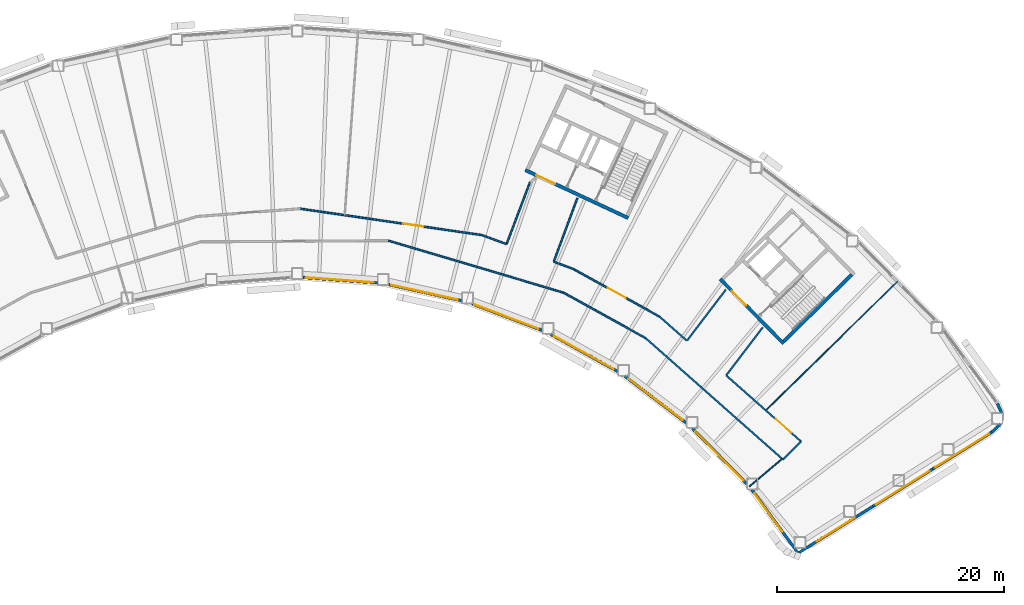
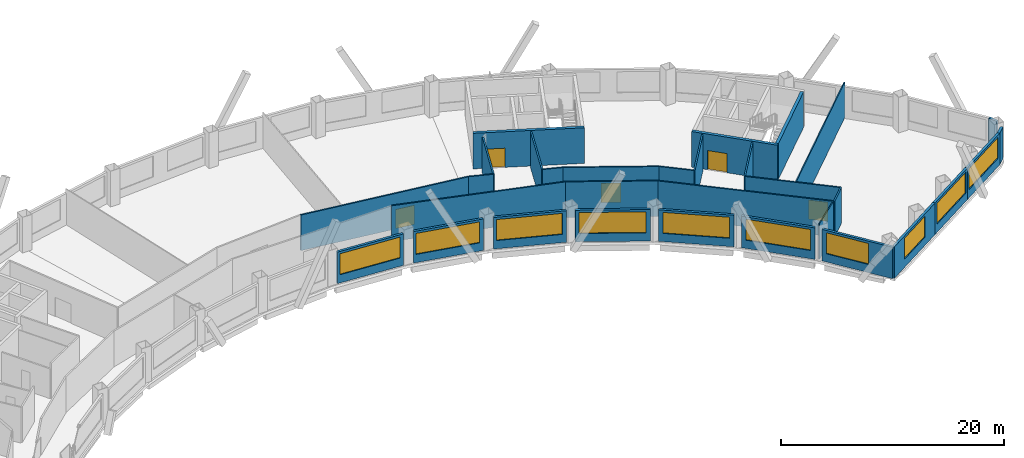
# One storey, part 6 of 11: 31 walls, 10 windows, 5 doors, 15 openings.
"""IFC4 building model written with IfcOpenShell, lengths in metres."""

from ifc_helpers import new_model, si_unit, direction, frame, frame_2d, origin, place, context, subcontext, project, spatial, rectangle, extrude, material, layer, layer_set, type_object, element, fill, save


model = new_model("IFC4")

# Units and contexts
model_context = context("Model", 3, precision=1e-05, world=origin(), true_north=direction((0.0, 1.0)))
body_context = subcontext(model_context, "Body", "Model", "MODEL_VIEW")
ifc_project = project(units=[si_unit("LENGTHUNIT", "METRE"), si_unit("AREAUNIT", "SQUARE_METRE"), si_unit("VOLUMEUNIT", "CUBIC_METRE"), si_unit("PLANEANGLEUNIT", "RADIAN"), si_unit("MASSUNIT", "GRAM", prefix="KILO")], contexts=[model_context])

# Site, building, storey
site_placement = place(None, origin())
site = spatial("IfcSite", under=ifc_project, at=site_placement, CompositionType="ELEMENT")
building_placement = place(site_placement, origin())
building = spatial("IfcBuilding", under=site, at=building_placement, Name="Tuul Gate Civic Tower", CompositionType="ELEMENT")
storey_placement = place(building_placement, frame((0.0, 0.0, 146.60009765625)))
storey = spatial("IfcBuildingStorey", under=building, at=storey_placement, Name="Level 33", CompositionType="ELEMENT", Elevation=146.60009765625)

# Wall, opening, door
ifc_material_1 = material(Name="Concrete C50/60", Category="concrete")
ifc_layer_1 = layer(ifc_material_1, 0.300048828125)
ifc_layer_set_1 = layer_set([ifc_layer_1], Name="Concrete C50/60")
wall_type_1 = type_object("IfcWallType", Name="Core wall C50/60", PredefinedType="SHEAR", material=ifc_layer_set_1)
wall_1_placement = place(storey_placement, frame((48.22509765625, -18.327880859375, 0.0), z_axis=(0.0, 0.0, 1.0), x_axis=(-0.700021979774, 0.714121297703, 0.0)))
wall_1 = element("IfcWall", 1, at=wall_1_placement, inside=storey, type_object=wall_type_1, Name="Core wall", PredefinedType="SHEAR", context=body_context, shape_type="SweptSolid", body=[
    extrude(rectangle(XDim=8.0, YDim=0.300048828125, at=frame_2d((4.0, 0.0))), origin(), (0.0, 0.0, 1.0), 3.89990234375),
])
opening_1_placement = place(wall_1_placement, frame((4.72509765625, 0.0, 0.0)))
opening_1 = element("IfcOpeningElement", 2, at=opening_1_placement, cuts=wall_1, Name="Opening LB-E1-LOBBY-1", PredefinedType="OPENING", context=body_context, shape_type="SweptSolid", body=[
    extrude(rectangle(XDim=1.800048828125, YDim=2.10009765625, at=frame_2d((0.89990234375, 1.050048828125))), frame((0.0, 0.16015625, 0.0), z_axis=(0.0, -1.0, 0.0), x_axis=(1.0, 0.0, 0.0)), (0.0, 0.0, 1.0), 0.320068359375),
])
ifc_material_2 = material(Name="Steel", Category="steel")
door_type_1 = type_object("IfcDoorType", Name="Lobby door", OperationType="DOUBLE_DOOR_SINGLE_SWING", PredefinedType="DOOR", material=ifc_material_2)
door_1_placement = place(opening_1_placement, frame((1.800048828125, 0.0, 0.0), z_axis=(0.0, 0.0, 1.0), x_axis=(-1.0, 0.0, 0.0)))
door_1 = element("IfcDoor", 3, at=door_1_placement, inside=storey, type_object=door_type_1, Name="Lobby door E1-LOBBY", OperationType="DOUBLE_DOOR_SINGLE_SWING", OverallHeight=2.10009765625, OverallWidth=1.800048828125, PredefinedType="DOOR", context=body_context, shape_type="SweptSolid", body=[
    extrude(rectangle(XDim=1.800048828125, YDim=2.10009765625, at=frame_2d((0.900146484375, 1.050048828125))), frame((0.0, 0.02490234375, 0.0), z_axis=(0.0, -1.0, 0.0), x_axis=(1.0, 0.0, 0.0)), (0.0, 0.0, 1.0), 0.050048828125),
])
fill(opening_1, door_1)

# Wall
wall_2_placement = place(storey_placement, frame((48.227294921875, -18.115966796875, 0.0), z_axis=(0.0, 0.0, 1.0), x_axis=(0.714105315431, 0.700038283577, 0.0)))
element("IfcWall", 4, at=wall_2_placement, inside=storey, type_object=wall_type_1, Name="Core wall", PredefinedType="SHEAR", context=body_context, shape_type="SweptSolid", body=[
    extrude(rectangle(XDim=8.400146484375, YDim=0.300048828125, at=frame_2d((4.2001953125, 0.0))), origin(), (0.0, 0.0, 1.0), 3.89990234375),
])

# Wall, opening, door
wall_3_placement = place(storey_placement, frame((34.5283203125, -7.25, 0.0), z_axis=(0.0, 0.0, 1.0), x_axis=(-0.906310338845, 0.422612789327, 0.0)))
wall_3 = element("IfcWall", 5, at=wall_3_placement, inside=storey, type_object=wall_type_1, Name="Core wall", PredefinedType="SHEAR", context=body_context, shape_type="SweptSolid", body=[
    extrude(rectangle(XDim=9.999755859375, YDim=0.300048828125, at=frame_2d((5.0, 0.0))), origin(), (0.0, 0.0, 1.0), 3.89990234375),
])
opening_2_placement = place(wall_3_placement, frame((7.125, 0.0, 0.0)))
opening_2 = element("IfcOpeningElement", 6, at=opening_2_placement, cuts=wall_3, Name="Opening LB-E3-LOBBY-1", PredefinedType="OPENING", context=body_context, shape_type="SweptSolid", body=[
    extrude(rectangle(XDim=1.800048828125, YDim=2.10009765625, at=frame_2d((0.89990234375, 1.050048828125))), frame((0.0, 0.16015625, 0.0), z_axis=(0.0, -1.0, 0.0), x_axis=(1.0, 0.0, 0.0)), (0.0, 0.0, 1.0), 0.320068359375),
])
door_2_placement = place(opening_2_placement, frame((1.800048828125, 0.0, 0.0), z_axis=(0.0, 0.0, 1.0), x_axis=(-1.0, 0.0, 0.0)))
door_2 = element("IfcDoor", 7, at=door_2_placement, inside=storey, type_object=door_type_1, Name="Lobby door E3-LOBBY", OperationType="DOUBLE_DOOR_SINGLE_SWING", OverallHeight=2.10009765625, OverallWidth=1.800048828125, PredefinedType="DOOR", context=body_context, shape_type="SweptSolid", body=[
    extrude(rectangle(XDim=1.800048828125, YDim=2.10009765625, at=frame_2d((0.900146484375, 1.050048828125))), frame((0.0, 0.02490234375, 0.0), z_axis=(0.0, -1.0, 0.0), x_axis=(1.0, 0.0, 0.0)), (0.0, 0.0, 1.0), 0.050048828125),
])
fill(opening_2, door_2)

# Walls
ifc_material_3 = material(Name="Gypsum board partition")
ifc_layer_2 = layer(ifc_material_3, 0.14990234375)
ifc_layer_set_2 = layer_set([ifc_layer_2], Name="Gypsum board partition")
wall_type_2 = type_object("IfcWallType", Name="Corridor wall P150", PredefinedType="PARTITIONING", material=ifc_layer_set_2)
wall_4_placement = place(storey_placement, frame((36.05712890625, -17.82568359375, 0.0), z_axis=(0.0, 0.0, 1.0), x_axis=(0.749274461917, -0.66225960221, 0.0)))
element("IfcWall", 8, at=wall_4_placement, inside=storey, type_object=wall_type_2, Name="p003", PredefinedType="PARTITIONING", context=body_context, shape_type="SweptSolid", body=[
    extrude(rectangle(XDim=16.144287109375, YDim=0.14990234375, at=frame_2d((8.072265625, 0.0))), origin(), (0.0, 0.0, 1.0), 3.89990234375),
])
wall_5_placement = place(storey_placement, frame((48.153564453125, -28.517333984375, 0.0), z_axis=(0.0, 0.0, 1.0), x_axis=(0.711649081693, 0.702535112664, 0.0)))
element("IfcWall", 9, at=wall_5_placement, inside=storey, type_object=wall_type_2, Name="p004", PredefinedType="PARTITIONING", context=body_context, shape_type="SweptSolid", body=[
    extrude(rectangle(XDim=2.250244140625, YDim=0.14990234375, at=frame_2d((1.125, 0.0))), origin(), (0.0, 0.0, 1.0), 3.89990234375),
])
wall_6_placement = place(storey_placement, frame((37.291748046875, -15.93798828125, 0.0), z_axis=(0.0, 0.0, 1.0), x_axis=(0.749786473691, -0.661679865093, 0.0)))
element("IfcWall", 10, at=wall_6_placement, inside=storey, type_object=wall_type_2, Name="p005", PredefinedType="PARTITIONING", context=body_context, shape_type="SweptSolid", body=[
    extrude(rectangle(XDim=3.189453125, YDim=0.14990234375, at=frame_2d((1.5947265625, 0.0))), origin(), (0.0, 0.0, 1.0), 3.89990234375),
])

# Wall, opening, door
wall_7_placement = place(storey_placement, frame((43.172607421875, -21.1279296875, 0.0), z_axis=(0.0, 0.0, 1.0), x_axis=(0.74979808612, -0.661666706167, 0.0)))
wall_7 = element("IfcWall", 11, at=wall_7_placement, inside=storey, type_object=wall_type_2, Name="p006", PredefinedType="PARTITIONING", context=body_context, shape_type="SweptSolid", body=[
    extrude(rectangle(XDim=8.77880859375, YDim=0.14990234375, at=frame_2d((4.389404296875, 0.0))), origin(), (0.0, 0.0, 1.0), 3.89990234375),
])
opening_3_placement = place(wall_7_placement, frame((5.811767578125, 0.0, 0.0)))
opening_3 = element("IfcOpeningElement", 12, at=opening_3_placement, cuts=wall_7, Name="Opening L-D01", PredefinedType="OPENING", context=body_context, shape_type="SweptSolid", body=[
    extrude(rectangle(XDim=1.800048828125, YDim=2.10009765625, at=frame_2d((0.89990234375, 1.050048828125))), frame((0.0, 0.0849609375, 0.0), z_axis=(0.0, -1.0, 0.0), x_axis=(1.0, 0.0, 0.0)), (0.0, 0.0, 1.0), 0.169921875),
])
ifc_material_4 = material(Name="Timber door leaf, double", Category="wood")
door_type_2 = type_object("IfcDoorType", Name="Door D18", OperationType="DOUBLE_DOOR_SINGLE_SWING", PredefinedType="DOOR", material=ifc_material_4)
door_3_placement = place(opening_3_placement, origin())
door_3 = element("IfcDoor", 13, at=door_3_placement, inside=storey, type_object=door_type_2, Name="Door L-D01", OperationType="DOUBLE_DOOR_SINGLE_SWING", OverallHeight=2.10009765625, OverallWidth=1.800048828125, PredefinedType="DOOR", context=body_context, shape_type="SweptSolid", body=[
    extrude(rectangle(XDim=1.800048828125, YDim=2.10009765625, at=frame_2d((0.89990234375, 1.050048828125))), frame((0.0, 0.02490234375, 0.0), z_axis=(0.0, -1.0, 0.0), x_axis=(1.0, 0.0, 0.0)), (0.0, 0.0, 1.0), 0.050048828125),
])
fill(opening_3, door_3)

# Walls
wall_8_placement = place(storey_placement, frame((43.169677734375, -21.099609375, 0.0), z_axis=(0.0, 0.0, 1.0), x_axis=(0.605786662661, 0.795627123307, 0.0)))
element("IfcWall", 14, at=wall_8_placement, inside=storey, type_object=wall_type_2, Name="p008", PredefinedType="PARTITIONING", context=body_context, shape_type="SweptSolid", body=[
    extrude(rectangle(XDim=5.304931640625, YDim=0.14990234375, at=frame_2d((2.65234375, 0.0))), origin(), (0.0, 0.0, 1.0), 3.89990234375),
])
wall_9_placement = place(storey_placement, frame((39.713134765625, -18.04541015625, 0.0), z_axis=(0.0, 0.0, 1.0), x_axis=(0.605803162891, 0.795614559841, 0.0)))
element("IfcWall", 15, at=wall_9_placement, inside=storey, type_object=wall_type_2, Name="p009", PredefinedType="PARTITIONING", context=body_context, shape_type="SweptSolid", body=[
    extrude(rectangle(XDim=5.638916015625, YDim=0.14990234375, at=frame_2d((2.8193359375, 0.0))), origin(), (0.0, 0.0, 1.0), 3.89990234375),
])

# Wall, opening, door
wall_10_placement = place(storey_placement, frame((29.74365234375, -11.760986328125, 0.0), z_axis=(0.0, 0.0, 1.0), x_axis=(0.874963879405, -0.48418819661, 0.0)))
wall_10 = element("IfcWall", 16, at=wall_10_placement, inside=storey, type_object=wall_type_2, Name="p010", PredefinedType="PARTITIONING", context=body_context, shape_type="SweptSolid", body=[
    extrude(rectangle(XDim=8.624755859375, YDim=0.14990234375, at=frame_2d((4.3125, 0.0))), origin(), (0.0, 0.0, 1.0), 3.89990234375),
])
opening_4_placement = place(wall_10_placement, frame((3.412353515625, 0.0, 0.0)))
opening_4 = element("IfcOpeningElement", 17, at=opening_4_placement, cuts=wall_10, Name="Opening L-D02", PredefinedType="OPENING", context=body_context, shape_type="SweptSolid", body=[
    extrude(rectangle(XDim=1.800048828125, YDim=2.10009765625, at=frame_2d((0.89990234375, 1.050048828125))), frame((0.0, 0.0849609375, 0.0), z_axis=(0.0, -1.0, 0.0), x_axis=(1.0, 0.0, 0.0)), (0.0, 0.0, 1.0), 0.169921875),
])
door_4_placement = place(opening_4_placement, origin())
door_4 = element("IfcDoor", 18, at=door_4_placement, inside=storey, type_object=door_type_2, Name="Door L-D02", OperationType="DOUBLE_DOOR_SINGLE_SWING", OverallHeight=2.10009765625, OverallWidth=1.800048828125, PredefinedType="DOOR", context=body_context, shape_type="SweptSolid", body=[
    extrude(rectangle(XDim=1.800048828125, YDim=2.10009765625, at=frame_2d((0.89990234375, 1.050048828125))), frame((0.0, 0.02490234375, 0.0), z_axis=(0.0, -1.0, 0.0), x_axis=(1.0, 0.0, 0.0)), (0.0, 0.0, 1.0), 0.050048828125),
])
fill(opening_4, door_4)

# Walls
wall_11_placement = place(storey_placement, frame((21.662109375, -8.7568359375, 0.0), z_axis=(0.0, 0.0, 1.0), x_axis=(0.937319007973, -0.348472491443, 0.0)))
element("IfcWall", 19, at=wall_11_placement, inside=storey, type_object=wall_type_2, Name="p011", PredefinedType="PARTITIONING", context=body_context, shape_type="SweptSolid", body=[
    extrude(rectangle(XDim=2.27197265625, YDim=0.14990234375, at=frame_2d((1.135986328125, 0.0))), origin(), (0.0, 0.0, 1.0), 3.89990234375),
])
wall_12_placement = place(storey_placement, frame((27.987548828125, -11.108154296875, 0.0), z_axis=(0.0, 0.0, 1.0), x_axis=(0.937359575366, -0.348363354084, 0.0)))
element("IfcWall", 20, at=wall_12_placement, inside=storey, type_object=wall_type_2, Name="p012", PredefinedType="PARTITIONING", context=body_context, shape_type="SweptSolid", body=[
    extrude(rectangle(XDim=1.871826171875, YDim=0.14990234375, at=frame_2d((0.93603515625, 0.0))), origin(), (0.0, 0.0, 1.0), 3.89990234375),
])
wall_13_placement = place(storey_placement, frame((27.975341796875, -11.081298828125, 0.0), z_axis=(0.0, 0.0, 1.0), x_axis=(0.348388102899, 0.937350377265, 0.0)))
element("IfcWall", 21, at=wall_13_placement, inside=storey, type_object=wall_type_2, Name="p013", PredefinedType="PARTITIONING", context=body_context, shape_type="SweptSolid", body=[
    extrude(rectangle(XDim=5.9599609375, YDim=0.14990234375, at=frame_2d((2.97998046875, 0.0))), origin(), (0.0, 0.0, 1.0), 3.89990234375),
])
wall_14_placement = place(storey_placement, frame((23.818603515625, -9.53662109375, 0.0), z_axis=(0.0, 0.0, 1.0), x_axis=(0.354086128069, 0.935212817443, 0.0)))
element("IfcWall", 22, at=wall_14_placement, inside=storey, type_object=wall_type_2, Name="p016", PredefinedType="PARTITIONING", context=body_context, shape_type="SweptSolid", body=[
    extrude(rectangle(XDim=5.830322265625, YDim=0.14990234375, at=frame_2d((2.9150390625, 0.0))), origin(), (0.0, 0.0, 1.0), 3.89990234375),
])

# Wall, opening, door
wall_15_placement = place(storey_placement, frame((5.622314453125, -6.427490234375, 0.0), z_axis=(0.0, 0.0, 1.0), x_axis=(0.989620550356, -0.1437051367, 0.0)))
wall_15 = element("IfcWall", 23, at=wall_15_placement, inside=storey, type_object=wall_type_2, Name="p017", PredefinedType="PARTITIONING", context=body_context, shape_type="SweptSolid", body=[
    extrude(rectangle(XDim=16.205810546875, YDim=0.14990234375, at=frame_2d((8.10302734375, 0.0))), origin(), (0.0, 0.0, 1.0), 3.89990234375),
])
opening_5_placement = place(wall_15_placement, frame((9.18798828125, 0.0, 0.0)))
opening_5 = element("IfcOpeningElement", 24, at=opening_5_placement, cuts=wall_15, Name="Opening L-D03", PredefinedType="OPENING", context=body_context, shape_type="SweptSolid", body=[
    extrude(rectangle(XDim=1.800048828125, YDim=2.10009765625, at=frame_2d((0.89990234375, 1.050048828125))), frame((0.0, 0.0849609375, 0.0), z_axis=(0.0, -1.0, 0.0), x_axis=(1.0, 0.0, 0.0)), (0.0, 0.0, 1.0), 0.169921875),
])
door_5_placement = place(opening_5_placement, origin())
door_5 = element("IfcDoor", 25, at=door_5_placement, inside=storey, type_object=door_type_2, Name="Door L-D03", OperationType="DOUBLE_DOOR_SINGLE_SWING", OverallHeight=2.10009765625, OverallWidth=1.800048828125, PredefinedType="DOOR", context=body_context, shape_type="SweptSolid", body=[
    extrude(rectangle(XDim=1.800048828125, YDim=2.10009765625, at=frame_2d((0.89990234375, 1.050048828125))), frame((0.0, 0.02490234375, 0.0), z_axis=(0.0, -1.0, 0.0), x_axis=(1.0, 0.0, 0.0)), (0.0, 0.0, 1.0), 0.050048828125),
])
fill(opening_5, door_5)

# Walls
wall_16_placement = place(storey_placement, frame((13.4052734375, -9.24755859375, 0.0), z_axis=(0.0, 0.0, 1.0), x_axis=(0.958768044807, -0.284189789149, 0.0)))
element("IfcWall", 26, at=wall_16_placement, inside=storey, type_object=wall_type_2, Name="p039", PredefinedType="PARTITIONING", context=body_context, shape_type="SweptSolid", body=[
    extrude(rectangle(XDim=16.057861328125, YDim=0.14990234375, at=frame_2d((8.02880859375, 0.0))), origin(), (0.0, 0.0, 1.0), 3.89990234375),
])
wall_17_placement = place(storey_placement, frame((28.801025390625, -13.81103515625, 0.0), z_axis=(0.0, 0.0, 1.0), x_axis=(0.874969827012, -0.484177448689, 0.0)))
element("IfcWall", 27, at=wall_17_placement, inside=storey, type_object=wall_type_2, Name="p040", PredefinedType="PARTITIONING", context=body_context, shape_type="SweptSolid", body=[
    extrude(rectangle(XDim=8.292724609375, YDim=0.14990234375, at=frame_2d((4.146484375, 0.0))), origin(), (0.0, 0.0, 1.0), 3.89990234375),
])
ifc_material_5 = material(Name="Precast concrete C40/50", Category="concrete")
ifc_layer_3 = layer(ifc_material_5, 0.25)
ifc_layer_set_3 = layer_set([ifc_layer_3], Name="Precast concrete C40/50")
wall_type_3 = type_object("IfcWallType", Name="External wall", PredefinedType="STANDARD", material=ifc_layer_set_3)
wall_18_placement = place(storey_placement, frame((66.564453125, -26.109619140625, 0.0), z_axis=(0.0, 0.0, 1.0), x_axis=(0.722224898846, 0.691658293875, 0.0)))
element("IfcWall", 28, at=wall_18_placement, inside=storey, type_object=wall_type_3, Name="External wall", PredefinedType="STANDARD", context=body_context, shape_type="SweptSolid", body=[
    extrude(rectangle(XDim=1.0302734375, YDim=0.25, at=frame_2d((0.51513671875, 0.0))), origin(), (0.0, 0.0, 1.0), 3.449951171875),
])
wall_19_placement = place(storey_placement, frame((67.416015625, -24.39697265625, 0.0), z_axis=(0.0, 0.0, 1.0), x_axis=(-0.41355333093, 0.9104798968, 0.0)))
element("IfcWall", 29, at=wall_19_placement, inside=storey, type_object=wall_type_3, Name="External wall", PredefinedType="STANDARD", context=body_context, shape_type="SweptSolid", body=[
    extrude(rectangle(XDim=0.88427734375, YDim=0.25, at=frame_2d((0.442138671875, 0.0))), origin(), (0.0, 0.0, 1.0), 3.449951171875),
])

# Wall, opening, window
wall_20_placement = place(storey_placement, frame((5.8740234375, -12.48583984375, 0.0), z_axis=(0.0, 0.0, 1.0), x_axis=(0.997383866909, -0.072287080662, 0.0)))
wall_20 = element("IfcWall", 30, at=wall_20_placement, inside=storey, type_object=wall_type_3, Name="External wall", PredefinedType="STANDARD", context=body_context, shape_type="SweptSolid", body=[
    extrude(rectangle(XDim=6.58935546875, YDim=0.25, at=frame_2d((3.294677734375, 0.0))), origin(), (0.0, 0.0, 1.0), 3.449951171875),
])
opening_6_placement = place(wall_20_placement, frame((0.27099609375, 0.0, 0.89990234375)))
opening_6 = element("IfcOpeningElement", 31, at=opening_6_placement, cuts=wall_20, Name="Opening W26", PredefinedType="OPENING", context=body_context, shape_type="SweptSolid", body=[
    extrude(rectangle(XDim=6.0, YDim=2.300048828125, at=frame_2d((3.0, 1.14990234375))), frame((0.0, 0.135009765625, 0.0), z_axis=(0.0, -1.0, 0.0), x_axis=(1.0, 0.0, 0.0)), (0.0, 0.0, 1.0), 0.27001953125),
])
ifc_material_6 = material(Name="Glass", Category="glass")
window_type_1 = type_object("IfcWindowType", Name="Window W26 6000 x 2300", PartitioningType="SINGLE_PANEL", PredefinedType="WINDOW", material=ifc_material_6)
window_1_placement = place(opening_6_placement, origin())
window_1 = element("IfcWindow", 32, at=window_1_placement, inside=storey, type_object=window_type_1, Name="Window", OverallHeight=2.300048828125, OverallWidth=6.0, PartitioningType="SINGLE_PANEL", PredefinedType="WINDOW", context=body_context, shape_type="SweptSolid", body=[
    extrude(rectangle(XDim=6.0, YDim=2.300048828125, at=frame_2d((3.0, 1.14990234375))), frame((0.0, 0.030029296875, 0.0), z_axis=(0.0, -1.0, 0.0), x_axis=(1.0, 0.0, 0.0)), (0.0, 0.0, 1.0), 0.06005859375),
])
fill(opening_6, window_1)

wall_21_placement = place(storey_placement, frame((13.446044921875, -13.115478515625, 0.0), z_axis=(0.0, 0.0, 1.0), x_axis=(0.976557337415, -0.215257442942, 0.0)))
wall_21 = element("IfcWall", 33, at=wall_21_placement, inside=storey, type_object=wall_type_3, Name="External wall", PredefinedType="STANDARD", context=body_context, shape_type="SweptSolid", body=[
    extrude(rectangle(XDim=6.568115234375, YDim=0.25, at=frame_2d((3.2841796875, 0.0))), origin(), (0.0, 0.0, 1.0), 3.449951171875),
])
opening_7_placement = place(wall_21_placement, frame((0.212158203125, 0.0, 0.89990234375)))
opening_7 = element("IfcOpeningElement", 34, at=opening_7_placement, cuts=wall_21, Name="Opening W26", PredefinedType="OPENING", context=body_context, shape_type="SweptSolid", body=[
    extrude(rectangle(XDim=6.0, YDim=2.300048828125, at=frame_2d((3.0, 1.14990234375))), frame((0.0, 0.135009765625, 0.0), z_axis=(0.0, -1.0, 0.0), x_axis=(1.0, 0.0, 0.0)), (0.0, 0.0, 1.0), 0.27001953125),
])
window_2_placement = place(opening_7_placement, origin())
window_2 = element("IfcWindow", 35, at=window_2_placement, inside=storey, type_object=window_type_1, Name="Window", OverallHeight=2.300048828125, OverallWidth=6.0, PartitioningType="SINGLE_PANEL", PredefinedType="WINDOW", context=body_context, shape_type="SweptSolid", body=[
    extrude(rectangle(XDim=6.0, YDim=2.300048828125, at=frame_2d((3.0, 1.14990234375))), frame((0.0, 0.030029296875, 0.0), z_axis=(0.0, -1.0, 0.0), x_axis=(1.0, 0.0, 0.0)), (0.0, 0.0, 1.0), 0.06005859375),
])
fill(opening_7, window_2)

wall_22_placement = place(storey_placement, frame((20.76416015625, -14.806884765625, 0.0), z_axis=(0.0, 0.0, 1.0), x_axis=(0.935359421998, -0.353698673562, 0.0)))
wall_22 = element("IfcWall", 36, at=wall_22_placement, inside=storey, type_object=wall_type_3, Name="External wall", PredefinedType="STANDARD", context=body_context, shape_type="SweptSolid", body=[
    extrude(rectangle(XDim=6.625, YDim=0.25, at=frame_2d((3.3125, 0.0))), origin(), (0.0, 0.0, 1.0), 3.449951171875),
])
opening_8_placement = place(wall_22_placement, frame((0.240478515625, 0.0, 0.89990234375)))
opening_8 = element("IfcOpeningElement", 37, at=opening_8_placement, cuts=wall_22, Name="Opening W26", PredefinedType="OPENING", context=body_context, shape_type="SweptSolid", body=[
    extrude(rectangle(XDim=6.0, YDim=2.300048828125, at=frame_2d((3.0, 1.14990234375))), frame((0.0, 0.135009765625, 0.0), z_axis=(0.0, -1.0, 0.0), x_axis=(1.0, 0.0, 0.0)), (0.0, 0.0, 1.0), 0.27001953125),
])
window_3_placement = place(opening_8_placement, origin())
window_3 = element("IfcWindow", 38, at=window_3_placement, inside=storey, type_object=window_type_1, Name="Window", OverallHeight=2.300048828125, OverallWidth=6.0, PartitioningType="SINGLE_PANEL", PredefinedType="WINDOW", context=body_context, shape_type="SweptSolid", body=[
    extrude(rectangle(XDim=6.0, YDim=2.300048828125, at=frame_2d((3.0, 1.14990234375))), frame((0.0, 0.030029296875, 0.0), z_axis=(0.0, -1.0, 0.0), x_axis=(1.0, 0.0, 0.0)), (0.0, 0.0, 1.0), 0.06005859375),
])
fill(opening_8, window_3)

wall_23_placement = place(storey_placement, frame((27.693115234375, -17.491943359375, 0.0), z_axis=(0.0, 0.0, 1.0), x_axis=(0.874615488592, -0.484817230628, 0.0)))
wall_23 = element("IfcWall", 39, at=wall_23_placement, inside=storey, type_object=wall_type_3, Name="External wall", PredefinedType="STANDARD", context=body_context, shape_type="SweptSolid", body=[
    extrude(rectangle(XDim=6.7548828125, YDim=0.25, at=frame_2d((3.37744140625, 0.0))), origin(), (0.0, 0.0, 1.0), 3.449951171875),
])
opening_9_placement = place(wall_23_placement, frame((0.35009765625, 0.0, 0.89990234375)))
opening_9 = element("IfcOpeningElement", 40, at=opening_9_placement, cuts=wall_23, Name="Opening W26", PredefinedType="OPENING", context=body_context, shape_type="SweptSolid", body=[
    extrude(rectangle(XDim=6.0, YDim=2.300048828125, at=frame_2d((3.0, 1.14990234375))), frame((0.0, 0.135009765625, 0.0), z_axis=(0.0, -1.0, 0.0), x_axis=(1.0, 0.0, 0.0)), (0.0, 0.0, 1.0), 0.27001953125),
])
window_4_placement = place(opening_9_placement, origin())
window_4 = element("IfcWindow", 41, at=window_4_placement, inside=storey, type_object=window_type_1, Name="Window", OverallHeight=2.300048828125, OverallWidth=6.0, PartitioningType="SINGLE_PANEL", PredefinedType="WINDOW", context=body_context, shape_type="SweptSolid", body=[
    extrude(rectangle(XDim=6.0, YDim=2.300048828125, at=frame_2d((3.0, 1.14990234375))), frame((0.0, 0.030029296875, 0.0), z_axis=(0.0, -1.0, 0.0), x_axis=(1.0, 0.0, 0.0)), (0.0, 0.0, 1.0), 0.06005859375),
])
fill(opening_9, window_4)

wall_24_placement = place(storey_placement, frame((34.220458984375, -21.172119140625, 0.0), z_axis=(0.0, 0.0, 1.0), x_axis=(0.795597025415, -0.605826190546, 0.0)))
wall_24 = element("IfcWall", 42, at=wall_24_placement, inside=storey, type_object=wall_type_3, Name="External wall", PredefinedType="STANDARD", context=body_context, shape_type="SweptSolid", body=[
    extrude(rectangle(XDim=6.813232421875, YDim=0.25, at=frame_2d((3.40673828125, 0.0))), origin(), (0.0, 0.0, 1.0), 3.449951171875),
])
opening_10_placement = place(wall_24_placement, frame((0.397705078125, 0.0, 0.89990234375)))
opening_10 = element("IfcOpeningElement", 43, at=opening_10_placement, cuts=wall_24, Name="Opening W26", PredefinedType="OPENING", context=body_context, shape_type="SweptSolid", body=[
    extrude(rectangle(XDim=6.0, YDim=2.300048828125, at=frame_2d((3.0, 1.14990234375))), frame((0.0, 0.135009765625, 0.0), z_axis=(0.0, -1.0, 0.0), x_axis=(1.0, 0.0, 0.0)), (0.0, 0.0, 1.0), 0.27001953125),
])
window_5_placement = place(opening_10_placement, origin())
window_5 = element("IfcWindow", 44, at=window_5_placement, inside=storey, type_object=window_type_1, Name="Window", OverallHeight=2.300048828125, OverallWidth=6.0, PartitioningType="SINGLE_PANEL", PredefinedType="WINDOW", context=body_context, shape_type="SweptSolid", body=[
    extrude(rectangle(XDim=6.0, YDim=2.300048828125, at=frame_2d((3.0, 1.14990234375))), frame((0.0, 0.030029296875, 0.0), z_axis=(0.0, -1.0, 0.0), x_axis=(1.0, 0.0, 0.0)), (0.0, 0.0, 1.0), 0.06005859375),
])
fill(opening_10, window_5)

wall_25_placement = place(storey_placement, frame((40.1748046875, -25.77099609375, 0.0), z_axis=(0.0, 0.0, 1.0), x_axis=(0.700046388208, -0.714097370361, 0.0)))
wall_25 = element("IfcWall", 45, at=wall_25_placement, inside=storey, type_object=wall_type_3, Name="External wall", PredefinedType="STANDARD", context=body_context, shape_type="SweptSolid", body=[
    extrude(rectangle(XDim=6.82861328125, YDim=0.25, at=frame_2d((3.414306640625, 0.0))), origin(), (0.0, 0.0, 1.0), 3.449951171875),
])
opening_11_placement = place(wall_25_placement, frame((0.41552734375, 0.0, 0.89990234375)))
opening_11 = element("IfcOpeningElement", 46, at=opening_11_placement, cuts=wall_25, Name="Opening W26", PredefinedType="OPENING", context=body_context, shape_type="SweptSolid", body=[
    extrude(rectangle(XDim=6.0, YDim=2.300048828125, at=frame_2d((3.0, 1.14990234375))), frame((0.0, 0.135009765625, 0.0), z_axis=(0.0, -1.0, 0.0), x_axis=(1.0, 0.0, 0.0)), (0.0, 0.0, 1.0), 0.27001953125),
])
window_6_placement = place(opening_11_placement, origin())
window_6 = element("IfcWindow", 47, at=window_6_placement, inside=storey, type_object=window_type_1, Name="Window", OverallHeight=2.300048828125, OverallWidth=6.0, PartitioningType="SINGLE_PANEL", PredefinedType="WINDOW", context=body_context, shape_type="SweptSolid", body=[
    extrude(rectangle(XDim=6.0, YDim=2.300048828125, at=frame_2d((3.0, 1.14990234375))), frame((0.0, 0.030029296875, 0.0), z_axis=(0.0, -1.0, 0.0), x_axis=(1.0, 0.0, 0.0)), (0.0, 0.0, 1.0), 0.06005859375),
])
fill(opening_11, window_6)

wall_26_placement = place(storey_placement, frame((45.417724609375, -31.193115234375, 0.0), z_axis=(0.0, 0.0, 1.0), x_axis=(0.589725122594, -0.807604036507, 0.0)))
wall_26 = element("IfcWall", 48, at=wall_26_placement, inside=storey, type_object=wall_type_3, Name="External wall", PredefinedType="STANDARD", context=body_context, shape_type="SweptSolid", body=[
    extrude(rectangle(XDim=6.910400390625, YDim=0.25, at=frame_2d((3.455078125, 0.0))), origin(), (0.0, 0.0, 1.0), 3.449951171875),
])
opening_12_placement = place(wall_26_placement, frame((0.40380859375, 0.0, 0.89990234375)))
opening_12 = element("IfcOpeningElement", 49, at=opening_12_placement, cuts=wall_26, Name="Opening W25", PredefinedType="OPENING", context=body_context, shape_type="SweptSolid", body=[
    extrude(rectangle(XDim=4.14990234375, YDim=2.300048828125, at=frame_2d((2.074951171875, 1.14990234375))), frame((0.0, 0.135009765625, 0.0), z_axis=(0.0, -1.0, 0.0), x_axis=(1.0, 0.0, 0.0)), (0.0, 0.0, 1.0), 0.27001953125),
])
ifc_material_7 = material(Name="Glass", Category="glass")
window_type_2 = type_object("IfcWindowType", Name="Window W25 4150 x 2300", PartitioningType="SINGLE_PANEL", PredefinedType="WINDOW", material=ifc_material_7)
window_7_placement = place(opening_12_placement, origin())
window_7 = element("IfcWindow", 50, at=window_7_placement, inside=storey, type_object=window_type_2, Name="Window", OverallHeight=2.300048828125, OverallWidth=4.14990234375, PartitioningType="SINGLE_PANEL", PredefinedType="WINDOW", context=body_context, shape_type="SweptSolid", body=[
    extrude(rectangle(XDim=4.14990234375, YDim=2.300048828125, at=frame_2d((2.074951171875, 1.14990234375))), frame((0.0, 0.030029296875, 0.0), z_axis=(0.0, -1.0, 0.0), x_axis=(1.0, 0.0, 0.0)), (0.0, 0.0, 1.0), 0.06005859375),
])
fill(opening_12, window_7)

wall_27_placement = place(storey_placement, frame((49.492919921875, -36.77392578125, 0.0), z_axis=(0.0, 0.0, 1.0), x_axis=(0.848059933221, 0.529900320499, 0.0)))
wall_27 = element("IfcWall", 51, at=wall_27_placement, inside=storey, type_object=wall_type_3, Name="External wall", PredefinedType="STANDARD", context=body_context, shape_type="SweptSolid", body=[
    extrude(rectangle(XDim=7.78857421875, YDim=0.25, at=frame_2d((3.894287109375, 0.0))), origin(), (0.0, 0.0, 1.0), 3.449951171875),
])
opening_13_placement = place(wall_27_placement, frame((1.94189453125, 0.0, 0.89990234375)))
opening_13 = element("IfcOpeningElement", 52, at=opening_13_placement, cuts=wall_27, Name="Opening W113", PredefinedType="OPENING", context=body_context, shape_type="SweptSolid", body=[
    extrude(rectangle(XDim=3.949951171875, YDim=2.300048828125, at=frame_2d((1.97509765625, 1.14990234375))), frame((0.0, 0.135009765625, 0.0), z_axis=(0.0, -1.0, 0.0), x_axis=(1.0, 0.0, 0.0)), (0.0, 0.0, 1.0), 0.27001953125),
])
ifc_material_8 = material(Name="Glass", Category="glass")
window_type_3 = type_object("IfcWindowType", Name="Window W113 3950 x 2300", PartitioningType="SINGLE_PANEL", PredefinedType="WINDOW", material=ifc_material_8)
window_8_placement = place(opening_13_placement, origin())
window_8 = element("IfcWindow", 53, at=window_8_placement, inside=storey, type_object=window_type_3, Name="Window", OverallHeight=2.300048828125, OverallWidth=3.949951171875, PartitioningType="SINGLE_PANEL", PredefinedType="WINDOW", context=body_context, shape_type="SweptSolid", body=[
    extrude(rectangle(XDim=3.949951171875, YDim=2.300048828125, at=frame_2d((1.97509765625, 1.14990234375))), frame((0.0, 0.030029296875, 0.0), z_axis=(0.0, -1.0, 0.0), x_axis=(1.0, 0.0, 0.0)), (0.0, 0.0, 1.0), 0.06005859375),
])
fill(opening_13, window_8)

wall_28_placement = place(storey_placement, frame((56.09814453125, -32.646728515625, 0.0), z_axis=(0.0, 0.0, 1.0), x_axis=(0.848042669488, 0.529927948619, 0.0)))
wall_28 = element("IfcWall", 54, at=wall_28_placement, inside=storey, type_object=wall_type_3, Name="External wall", PredefinedType="STANDARD", context=body_context, shape_type="SweptSolid", body=[
    extrude(rectangle(XDim=6.1826171875, YDim=0.25, at=frame_2d((3.09130859375, 0.0))), origin(), (0.0, 0.0, 1.0), 3.449951171875),
])
opening_14_placement = place(wall_28_placement, frame((0.31640625, 0.0, 0.89990234375)))
opening_14 = element("IfcOpeningElement", 55, at=opening_14_placement, cuts=wall_28, Name="Opening W24", PredefinedType="OPENING", context=body_context, shape_type="SweptSolid", body=[
    extrude(rectangle(XDim=5.550048828125, YDim=2.300048828125, at=frame_2d((2.77490234375, 1.14990234375))), frame((0.0, 0.135009765625, 0.0), z_axis=(0.0, -1.0, 0.0), x_axis=(1.0, 0.0, 0.0)), (0.0, 0.0, 1.0), 0.27001953125),
])
ifc_material_9 = material(Name="Glass", Category="glass")
window_type_4 = type_object("IfcWindowType", Name="Window W24 5550 x 2300", PartitioningType="SINGLE_PANEL", PredefinedType="WINDOW", material=ifc_material_9)
window_9_placement = place(opening_14_placement, origin())
window_9 = element("IfcWindow", 56, at=window_9_placement, inside=storey, type_object=window_type_4, Name="Window", OverallHeight=2.300048828125, OverallWidth=5.550048828125, PartitioningType="SINGLE_PANEL", PredefinedType="WINDOW", context=body_context, shape_type="SweptSolid", body=[
    extrude(rectangle(XDim=5.550048828125, YDim=2.300048828125, at=frame_2d((2.77490234375, 1.14990234375))), frame((0.0, 0.030029296875, 0.0), z_axis=(0.0, -1.0, 0.0), x_axis=(1.0, 0.0, 0.0)), (0.0, 0.0, 1.0), 0.06005859375),
])
fill(opening_14, window_9)

wall_29_placement = place(storey_placement, frame((61.34130859375, -29.370361328125, 0.0), z_axis=(0.0, 0.0, 1.0), x_axis=(0.848053758074, 0.529910203164, 0.0)))
wall_29 = element("IfcWall", 57, at=wall_29_placement, inside=storey, type_object=wall_type_3, Name="External wall", PredefinedType="STANDARD", context=body_context, shape_type="SweptSolid", body=[
    extrude(rectangle(XDim=6.182861328125, YDim=0.25, at=frame_2d((3.09130859375, 0.0))), origin(), (0.0, 0.0, 1.0), 3.449951171875),
])
opening_15_placement = place(wall_29_placement, frame((0.31640625, 0.0, 0.89990234375)))
opening_15 = element("IfcOpeningElement", 58, at=opening_15_placement, cuts=wall_29, Name="Opening W24", PredefinedType="OPENING", context=body_context, shape_type="SweptSolid", body=[
    extrude(rectangle(XDim=5.550048828125, YDim=2.300048828125, at=frame_2d((2.77490234375, 1.14990234375))), frame((0.0, 0.135009765625, 0.0), z_axis=(0.0, -1.0, 0.0), x_axis=(1.0, 0.0, 0.0)), (0.0, 0.0, 1.0), 0.27001953125),
])
window_10_placement = place(opening_15_placement, origin())
window_10 = element("IfcWindow", 59, at=window_10_placement, inside=storey, type_object=window_type_4, Name="Window", OverallHeight=2.300048828125, OverallWidth=5.550048828125, PartitioningType="SINGLE_PANEL", PredefinedType="WINDOW", context=body_context, shape_type="SweptSolid", body=[
    extrude(rectangle(XDim=5.550048828125, YDim=2.300048828125, at=frame_2d((2.77490234375, 1.14990234375))), frame((0.0, 0.030029296875, 0.0), z_axis=(0.0, -1.0, 0.0), x_axis=(1.0, 0.0, 0.0)), (0.0, 0.0, 1.0), 0.06005859375),
])
fill(opening_15, window_10)

# Walls
ifc_material_10 = material(Name="Gypsum board partition")
ifc_layer_4 = layer(ifc_material_10, 0.10009765625)
ifc_layer_set_4 = layer_set([ifc_layer_4], Name="Gypsum board partition")
wall_type_4 = type_object("IfcWallType", Name="Partition P100", PredefinedType="PARTITIONING", material=ifc_layer_set_4)
wall_30_placement = place(storey_placement, frame((46.655029296875, -24.201171875, 0.0), z_axis=(0.0, 0.0, 1.0), x_axis=(0.714127101871, 0.700016058653, 0.0)))
element("IfcWall", 60, at=wall_30_placement, inside=storey, type_object=wall_type_4, Name="p001", PredefinedType="PARTITIONING", context=body_context, shape_type="SweptSolid", body=[
    extrude(rectangle(XDim=16.228759765625, YDim=0.10009765625, at=frame_2d((8.1142578125, 0.0))), origin(), (0.0, 0.0, 1.0), 3.89990234375),
])
wall_31_placement = place(storey_placement, frame((45.202392578125, -30.906982421875, 0.0), z_axis=(0.0, 0.0, 1.0), x_axis=(0.762842742197, 0.646584063117, 0.0)))
element("IfcWall", 61, at=wall_31_placement, inside=storey, type_object=wall_type_4, Name="p002", PredefinedType="PARTITIONING", context=body_context, shape_type="SweptSolid", body=[
    extrude(rectangle(XDim=3.7841796875, YDim=0.10009765625, at=frame_2d((1.89208984375, 0.0))), origin(), (0.0, 0.0, 1.0), 3.89990234375),
])

save(model, "model.ifc")
